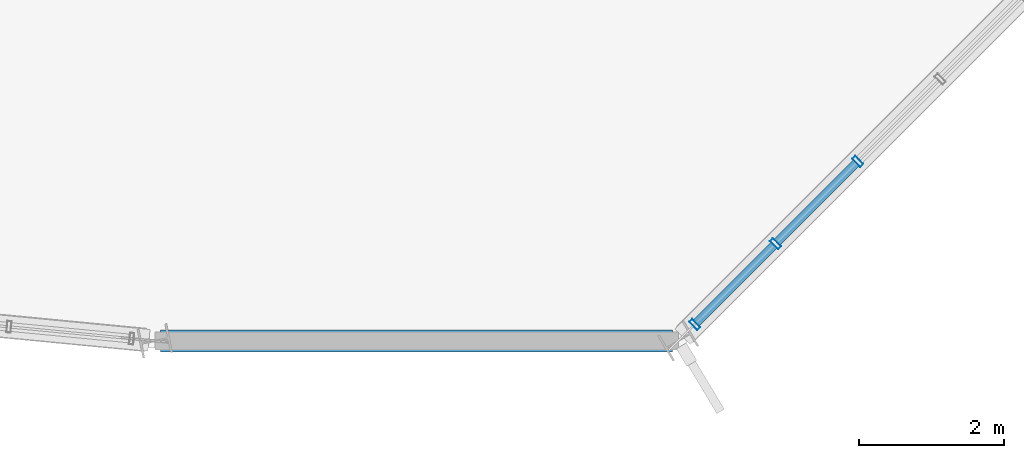
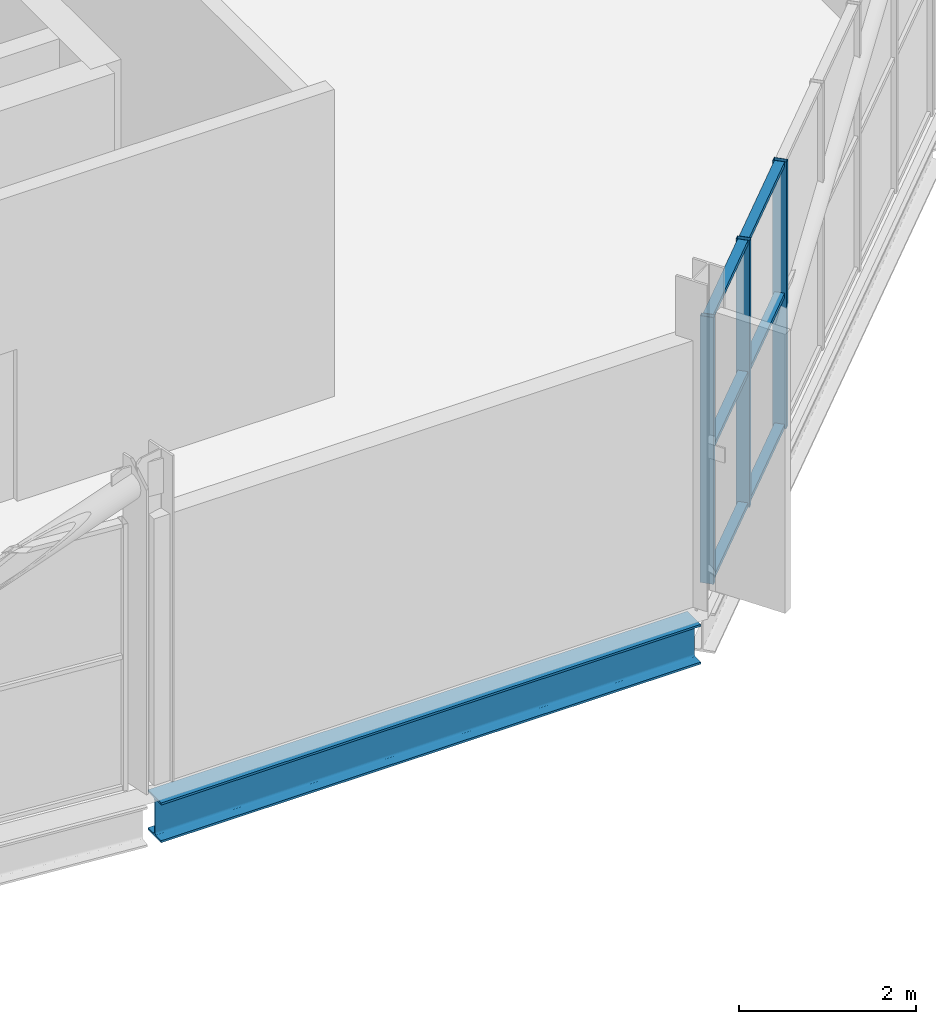
# One storey, part 6 of 22: 9 members, 1 beam, 1 element without a shape of its own.
"""IFC4 building model written with IfcOpenShell, lengths in metres."""

from ifc_helpers import new_model, si_unit, direction, frame, origin, origin_2d, place, context, subcontext, project, spatial, hollow_rectangle, i_section, extrude, material, layer, layer_set, material_profile, profile_set, type_object, element, aggregate, save


model = new_model("IFC4")

# Units and contexts
model_context = context("Model", 3, precision=1e-05, world=origin(), true_north=direction((0.0, 1.0)))
body_context = subcontext(model_context, "Body", "Model", "MODEL_VIEW")
ifc_project = project(units=[si_unit("LENGTHUNIT", "METRE"), si_unit("AREAUNIT", "SQUARE_METRE"), si_unit("VOLUMEUNIT", "CUBIC_METRE"), si_unit("PLANEANGLEUNIT", "RADIAN"), si_unit("MASSUNIT", "GRAM", prefix="KILO")], contexts=[model_context])

# Site, building, storey
site_placement = place(None, origin())
site = spatial("IfcSite", under=ifc_project, at=site_placement, CompositionType="ELEMENT")
building_placement = place(site_placement, origin())
building = spatial("IfcBuilding", under=site, at=building_placement, Name="Solnavia Interchange Tower", CompositionType="ELEMENT")
storey_placement = place(building_placement, frame((0.0, 0.0, 308.699951171875)))
storey = spatial("IfcBuildingStorey", under=building, at=storey_placement, Name="C02", CompositionType="ELEMENT", Elevation=308.699951171875)

# Curtain wall, members
ifc_material_1 = material(Name="Aluminium Alloy 6063-T6", Category="aluminium")
ifc_layer = layer(ifc_material_1, 0.179931640625)
ifc_layer_set = layer_set([ifc_layer], Name="Aluminium Alloy 6063-T6")
curtain_wall_type = type_object("IfcCurtainWallType", Name="CurtainWall-Crown-CTW6", PredefinedType="NOTDEFINED", material=ifc_layer_set)
curtain_wall_placement = place(storey_placement, origin())
curtain_wall = element("IfcCurtainWall", 1, at=curtain_wall_placement, inside=storey, type_object=curtain_wall_type, Name="CTW-C02-R15 CTW-6 curtain wall", PredefinedType="NOTDEFINED")
ifc_material_profile_1 = material_profile(ifc_material_1, hollow_rectangle(XDim=0.06005859375, YDim=0.159912109375, WallThickness=0.00390625, at=origin_2d()), Name="ALU 160x60x4")
ifc_profile_set_1 = profile_set([ifc_material_profile_1], Name="Aluminium Alloy 6063-T6")
member_type_1 = type_object("IfcMemberType", Name="CW-Mullion-CWM-6", PredefinedType="MULLION", material=ifc_profile_set_1)
member_1_placement = place(storey_placement, frame((36.22509765625, 3.8251953125, 0.0), z_axis=(0.0, 0.0, 1.0), x_axis=(0.707106781187, 0.707106781187, 0.0)))
member_1 = element("IfcMember", 2, at=member_1_placement, type_object=member_type_1, Name="CTW-6 mullion 1", PredefinedType="MULLION", context=body_context, shape_type="SweptSolid", body=[
    extrude(hollow_rectangle(XDim=0.06005859375, YDim=0.159912109375, WallThickness=0.00390625, at=origin_2d()), origin(), (0.0, 0.0, 1.0), 3.679931640625),
])
member_2_placement = place(storey_placement, frame((37.3359375, 4.93603515625, 0.0), z_axis=(0.0, 0.0, 1.0), x_axis=(0.707106781187, 0.707106781187, 0.0)))
member_2 = element("IfcMember", 3, at=member_2_placement, type_object=member_type_1, Name="CTW-6 mullion 2", PredefinedType="MULLION", context=body_context, shape_type="SweptSolid", body=[
    extrude(hollow_rectangle(XDim=0.06005859375, YDim=0.159912109375, WallThickness=0.00390625, at=origin_2d()), origin(), (0.0, 0.0, 1.0), 3.679931640625),
])
member_3_placement = place(storey_placement, frame((38.468017578125, 6.068115234375, 0.0), z_axis=(0.0, 0.0, 1.0), x_axis=(0.707106781187, 0.707106781187, 0.0)))
member_3 = element("IfcMember", 4, at=member_3_placement, type_object=member_type_1, Name="CTW-6 mullion 3", PredefinedType="MULLION", context=body_context, shape_type="SweptSolid", body=[
    extrude(hollow_rectangle(XDim=0.06005859375, YDim=0.159912109375, WallThickness=0.00390625, at=origin_2d()), origin(), (0.0, 0.0, 1.0), 3.679931640625),
])
ifc_material_profile_2 = material_profile(ifc_material_1, hollow_rectangle(XDim=0.06005859375, YDim=0.1201171875, WallThickness=0.00390625, at=origin_2d()), Name="ALU 120x60x4")
ifc_profile_set_2 = profile_set([ifc_material_profile_2], Name="Aluminium Alloy 6063-T6")
member_type_2 = type_object("IfcMemberType", Name="CW-Transom-CWT-6", PredefinedType="USERDEFINED", material=ifc_profile_set_2)
member_4_placement = place(storey_placement, frame((36.246337890625, 3.846435546875, 0.030029296875), z_axis=(0.707106781187, 0.707106781187, 0.0), x_axis=(0.0, 0.0, 1.0)))
member_4 = element("IfcMember", 5, at=member_4_placement, type_object=member_type_2, Name="CTW-6 transom 1.1", ObjectType="TRANSOM", PredefinedType="USERDEFINED", context=body_context, shape_type="SweptSolid", body=[
    extrude(hollow_rectangle(XDim=0.06005859375, YDim=0.1201171875, WallThickness=0.00390625, at=origin_2d()), origin(), (0.0, 0.0, 1.0), 1.510986328125),
])
member_5_placement = place(storey_placement, frame((36.246337890625, 3.846435546875, 1.840087890625), z_axis=(0.707106781187, 0.707106781187, 0.0), x_axis=(0.0, 0.0, 1.0)))
member_5 = element("IfcMember", 6, at=member_5_placement, type_object=member_type_2, Name="CTW-6 transom 1.2", ObjectType="TRANSOM", PredefinedType="USERDEFINED", context=body_context, shape_type="SweptSolid", body=[
    extrude(hollow_rectangle(XDim=0.06005859375, YDim=0.1201171875, WallThickness=0.00390625, at=origin_2d()), origin(), (0.0, 0.0, 1.0), 1.510986328125),
])
member_6_placement = place(storey_placement, frame((36.246337890625, 3.846435546875, 3.650146484375), z_axis=(0.707106781187, 0.707106781187, 0.0), x_axis=(0.0, 0.0, 1.0)))
member_6 = element("IfcMember", 7, at=member_6_placement, type_object=member_type_2, Name="CTW-6 transom 1.3", ObjectType="TRANSOM", PredefinedType="USERDEFINED", context=body_context, shape_type="SweptSolid", body=[
    extrude(hollow_rectangle(XDim=0.06005859375, YDim=0.1201171875, WallThickness=0.00390625, at=origin_2d()), origin(), (0.0, 0.0, 1.0), 1.510986328125),
])
member_7_placement = place(storey_placement, frame((37.357177734375, 4.957275390625, 0.030029296875), z_axis=(0.707106781187, 0.707106781187, 0.0), x_axis=(0.0, 0.0, 1.0)))
member_7 = element("IfcMember", 8, at=member_7_placement, type_object=member_type_2, Name="CTW-6 transom 2.1", ObjectType="TRANSOM", PredefinedType="USERDEFINED", context=body_context, shape_type="SweptSolid", body=[
    extrude(hollow_rectangle(XDim=0.06005859375, YDim=0.1201171875, WallThickness=0.00390625, at=origin_2d()), origin(), (0.0, 0.0, 1.0), 1.541015625),
])
member_8_placement = place(storey_placement, frame((37.357177734375, 4.957275390625, 1.840087890625), z_axis=(0.707106781187, 0.707106781187, 0.0), x_axis=(0.0, 0.0, 1.0)))
member_8 = element("IfcMember", 9, at=member_8_placement, type_object=member_type_2, Name="CTW-6 transom 2.2", ObjectType="TRANSOM", PredefinedType="USERDEFINED", context=body_context, shape_type="SweptSolid", body=[
    extrude(hollow_rectangle(XDim=0.06005859375, YDim=0.1201171875, WallThickness=0.00390625, at=origin_2d()), origin(), (0.0, 0.0, 1.0), 1.541015625),
])
member_9_placement = place(storey_placement, frame((37.357177734375, 4.957275390625, 3.650146484375), z_axis=(0.707106781187, 0.707106781187, 0.0), x_axis=(0.0, 0.0, 1.0)))
member_9 = element("IfcMember", 10, at=member_9_placement, type_object=member_type_2, Name="CTW-6 transom 2.3", ObjectType="TRANSOM", PredefinedType="USERDEFINED", context=body_context, shape_type="SweptSolid", body=[
    extrude(hollow_rectangle(XDim=0.06005859375, YDim=0.1201171875, WallThickness=0.00390625, at=origin_2d()), origin(), (0.0, 0.0, 1.0), 1.541015625),
])
aggregate(curtain_wall, [member_1, member_2, member_3, member_4, member_5, member_6, member_7, member_8, member_9])

# Beam
ifc_material_2 = material(Name="Steel S460", Category="steel")
ifc_material_profile_3 = material_profile(ifc_material_2, i_section(OverallWidth=0.300048828125, OverallDepth=0.550048828125, WebThickness=0.014892578125, FlangeThickness=0.029052734375, FilletRadius=0.027099609375, at=origin_2d()), Name="HEB 550")
ifc_profile_set_3 = profile_set([ifc_material_profile_3], Name="Steel S460")
beam_type = type_object("IfcBeamType", Name="CrownFrame-Ring-HEB550", PredefinedType="BEAM", material=ifc_profile_set_3)
beam_placement = place(storey_placement, frame((28.8798828125, 3.60009765625, -0.52490234375), z_axis=(1.0, 0.0, 0.0), x_axis=(0.0, 1.0, 0.0)))
element("IfcBeam", 11, at=beam_placement, inside=storey, type_object=beam_type, Name="GRD-C02-CR14 CROWN FRAME outer collar ring beam", PredefinedType="BEAM", context=body_context, shape_type="SweptSolid", body=[
    extrude(i_section(OverallWidth=0.300048828125, OverallDepth=0.550048828125, WebThickness=0.014892578125, FlangeThickness=0.029052734375, FilletRadius=0.027099609375, at=origin_2d()), origin(), (0.0, 0.0, 1.0), 7.0400390625),
])

save(model, "model.ifc")
